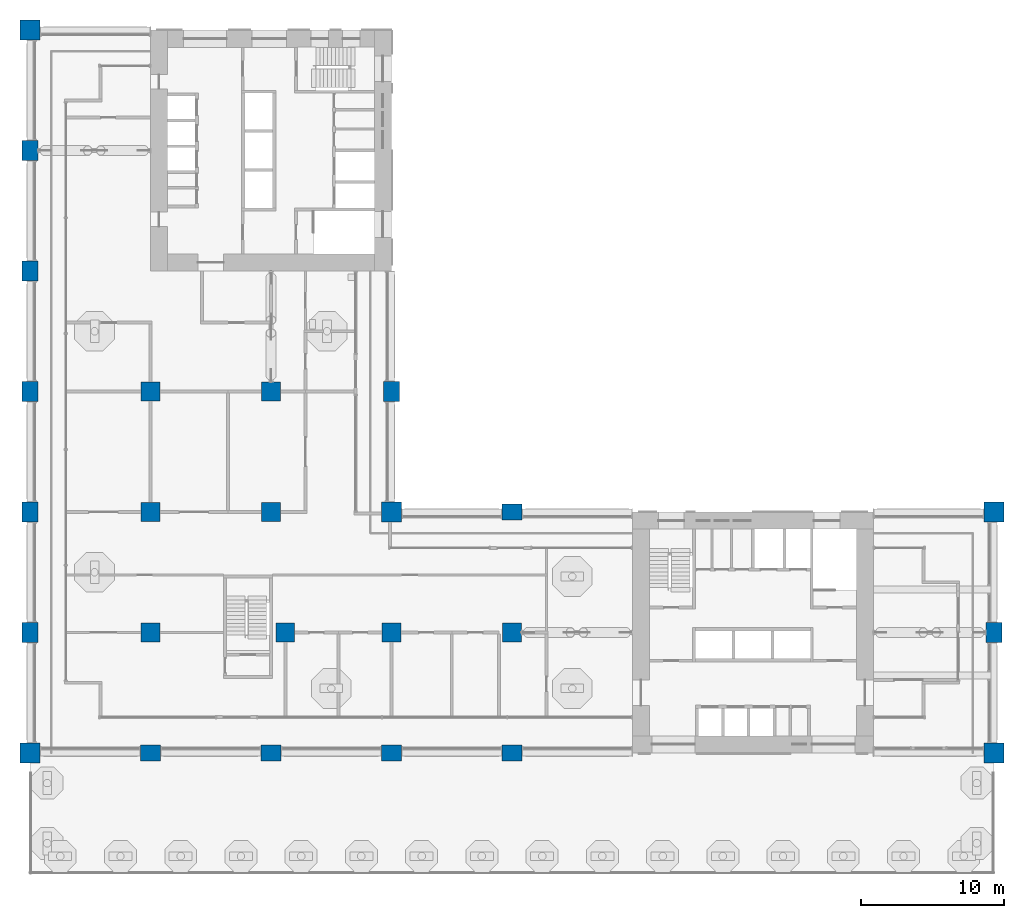
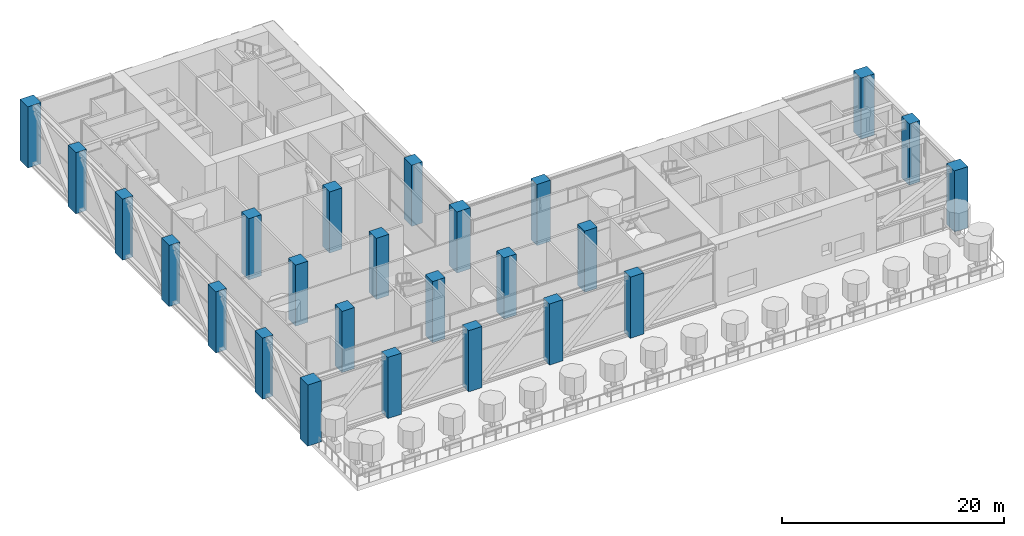
# One storey, part 1 of 28: 25 columns.
"""IFC4 building model written with IfcOpenShell, lengths in metres."""

from ifc_helpers import new_model, si_unit, direction, frame, origin, origin_2d, place, context, subcontext, project, spatial, rectangle, extrude, material, material_profile, profile_set, type_object, element, save


model = new_model("IFC4")

# Units and contexts
model_context = context("Model", 3, precision=1e-05, world=origin(), true_north=direction((0.0, 1.0)))
body_context = subcontext(model_context, "Body", "Model", "MODEL_VIEW")
ifc_project = project(units=[si_unit("LENGTHUNIT", "METRE"), si_unit("AREAUNIT", "SQUARE_METRE"), si_unit("VOLUMEUNIT", "CUBIC_METRE"), si_unit("PLANEANGLEUNIT", "RADIAN"), si_unit("MASSUNIT", "GRAM", prefix="KILO")], contexts=[model_context])

# Site, building, storey
site_placement = place(None, origin())
site = spatial("IfcSite", under=ifc_project, at=site_placement, CompositionType="ELEMENT")
building_placement = place(site_placement, origin())
building = spatial("IfcBuilding", under=site, at=building_placement, Name="Vermilion Gate Residences", CompositionType="ELEMENT")
storey_placement = place(building_placement, frame((0.0, 0.0, 74.199951171875)))
storey = spatial("IfcBuildingStorey", under=building, at=storey_placement, Name="L18", CompositionType="ELEMENT", Elevation=74.199951171875)

# Columns
ifc_material_1 = material(Name="Concrete C80", Category="concrete")
ifc_material_profile_1 = material_profile(ifc_material_1, rectangle(XDim=1.300048828125, YDim=1.300048828125, at=origin_2d()), Name="RC-1300x1300")
ifc_profile_set_1 = profile_set([ifc_material_profile_1], Name="Concrete C80")
column_type_1 = type_object("IfcColumnType", Name="RC COLUMN 1300 X 1300 C80", PredefinedType="COLUMN", material=ifc_profile_set_1)
for number, where, z_axis, x_axis, name in (
    (1, (8.39990234375, 16.800048828125, 0.0), (0.0, 0.0, 1.0), (1.0, 0.0, 0.0), "Column 2-C L18"),
    (2, (8.39990234375, 25.199951171875, 0.0), (0.0, 0.0, 1.0), (1.0, 0.0, 0.0), "Column 2-D L18"),
    (3, (8.39990234375, 33.60009765625, 0.0), (0.0, 0.0, 1.0), (1.0, 0.0, 0.0), "Column 2-E L18"),
    (4, (17.800048828125, 16.800048828125, 0.0), (0.0, 0.0, 1.0), (1.0, 0.0, 0.0), "Column 3-C L18"),
    (5, (16.800048828125, 25.199951171875, 0.0), (0.0, 0.0, 1.0), (1.0, 0.0, 0.0), "Column 3-D L18"),
    (6, (16.800048828125, 33.60009765625, 0.0), (0.0, 0.0, 1.0), (1.0, 0.0, 0.0), "Column 3-E L18"),
    (7, (25.199951171875, 16.800048828125, 0.0), (0.0, 0.0, 1.0), (1.0, 0.0, 0.0), "Column 4-C L18"),
    (8, (33.60009765625, 16.800048828125, 0.0), (0.0, 0.0, 1.0), (1.0, 0.0, 0.0), "Column 5-C L18"),
):
    element("IfcColumn", number, at=place(storey_placement, frame(where, z_axis=z_axis, x_axis=x_axis)), inside=storey, type_object=column_type_1, Name=name, PredefinedType="COLUMN", context=body_context, shape_type="SweptSolid", body=[
        extrude(rectangle(XDim=1.300048828125, YDim=1.300048828125, at=origin_2d()), origin(), (0.0, 0.0, 1.0), 6.719970703125),
    ])
ifc_material_2 = material(Name="Concrete C80", Category="concrete")
ifc_material_profile_2 = material_profile(ifc_material_2, rectangle(XDim=1.39990234375, YDim=1.10009765625, at=origin_2d()), Name="RC-1400x1100")
ifc_profile_set_2 = profile_set([ifc_material_profile_2], Name="Concrete C80")
column_type_2 = type_object("IfcColumnType", Name="RC COLUMN 1400 X 1100 C80", PredefinedType="COLUMN", material=ifc_profile_set_2)
for number, where, z_axis, x_axis, name in (
    (9, (0.0, 16.800048828125, 0.0), (0.0, 0.0, 1.0), (0.0, 1.0, 0.0), "Column 1-C L18"),
    (10, (0.0, 25.199951171875, 0.0), (0.0, 0.0, 1.0), (0.0, 1.0, 0.0), "Column 1-D L18"),
    (11, (0.0, 33.60009765625, 0.0), (0.0, 0.0, 1.0), (0.0, 1.0, 0.0), "Column 1-E L18"),
    (12, (0.0, 42.0, 0.0), (0.0, 0.0, 1.0), (0.0, 1.0, 0.0), "Column 1-F L18"),
    (13, (0.0, 50.39990234375, 0.0), (0.0, 0.0, 1.0), (0.0, 1.0, 0.0), "Column 1-G L18"),
    (14, (8.39990234375, 8.39990234375, 0.0), (0.0, 0.0, 1.0), (1.0, 0.0, 0.0), "Column 2-B L18"),
    (15, (16.800048828125, 8.39990234375, 0.0), (0.0, 0.0, 1.0), (1.0, 0.0, 0.0), "Column 3-B L18"),
    (16, (25.199951171875, 8.39990234375, 0.0), (0.0, 0.0, 1.0), (1.0, 0.0, 0.0), "Column 4-B L18"),
    (17, (25.199951171875, 33.60009765625, 0.0), (0.0, 0.0, 1.0), (0.0, 1.0, 0.0), "Column 4-E L18"),
    (18, (33.60009765625, 8.39990234375, 0.0), (0.0, 0.0, 1.0), (1.0, 0.0, 0.0), "Column 5-B L18"),
    (19, (33.60009765625, 25.199951171875, 0.0), (0.0, 0.0, 1.0), (1.0, 0.0, 0.0), "Column 5-D L18"),
    (20, (67.199951171875, 16.800048828125, 0.0), (0.0, 0.0, 1.0), (0.0, 1.0, 0.0), "Column 9-C L18"),
):
    element("IfcColumn", number, at=place(storey_placement, frame(where, z_axis=z_axis, x_axis=x_axis)), inside=storey, type_object=column_type_2, Name=name, PredefinedType="COLUMN", context=body_context, shape_type="SweptSolid", body=[
        extrude(rectangle(XDim=1.39990234375, YDim=1.10009765625, at=origin_2d()), origin(), (0.0, 0.0, 1.0), 6.719970703125),
    ])
ifc_material_3 = material(Name="Concrete C80", Category="concrete")
ifc_material_profile_3 = material_profile(ifc_material_3, rectangle(XDim=1.39990234375, YDim=1.39990234375, at=origin_2d()), Name="RC-1400x1400")
ifc_profile_set_3 = profile_set([ifc_material_profile_3], Name="Concrete C80")
column_type_3 = type_object("IfcColumnType", Name="RC COLUMN 1400 X 1400 C80", PredefinedType="COLUMN", material=ifc_profile_set_3)
for number, where, z_axis, x_axis, name in (
    (21, (0.0, 8.39990234375, 0.0), (0.0, 0.0, 1.0), (1.0, 0.0, 0.0), "Column 1-B L18"),
    (22, (0.0, 58.800048828125, 0.0), (0.0, 0.0, 1.0), (1.0, 0.0, 0.0), "Column 1-H L18"),
    (23, (25.199951171875, 25.199951171875, 0.0), (0.0, 0.0, 1.0), (1.0, 0.0, 0.0), "Column 4-D L18"),
    (24, (67.199951171875, 8.39990234375, 0.0), (0.0, 0.0, 1.0), (1.0, 0.0, 0.0), "Column 9-B L18"),
    (25, (67.199951171875, 25.199951171875, 0.0), (0.0, 0.0, 1.0), (1.0, 0.0, 0.0), "Column 9-D L18"),
):
    element("IfcColumn", number, at=place(storey_placement, frame(where, z_axis=z_axis, x_axis=x_axis)), inside=storey, type_object=column_type_3, Name=name, PredefinedType="COLUMN", context=body_context, shape_type="SweptSolid", body=[
        extrude(rectangle(XDim=1.39990234375, YDim=1.39990234375, at=origin_2d()), origin(), (0.0, 0.0, 1.0), 6.719970703125),
    ])

save(model, "model.ifc")
